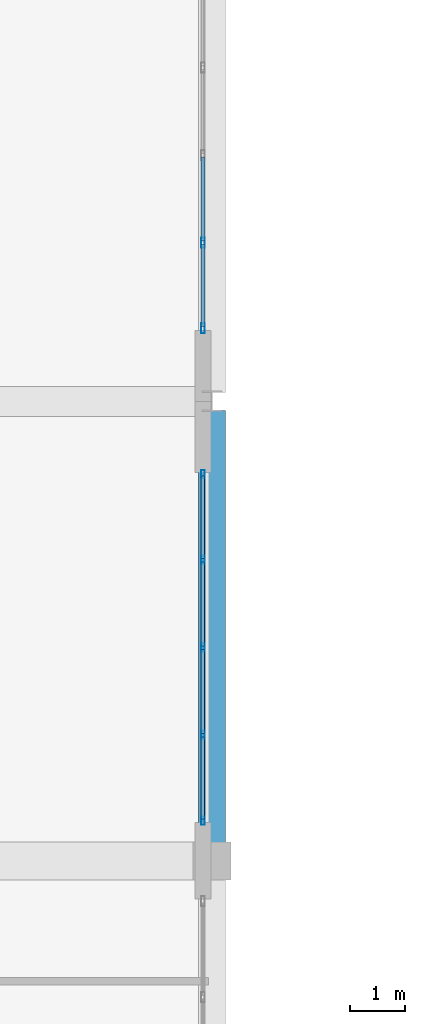
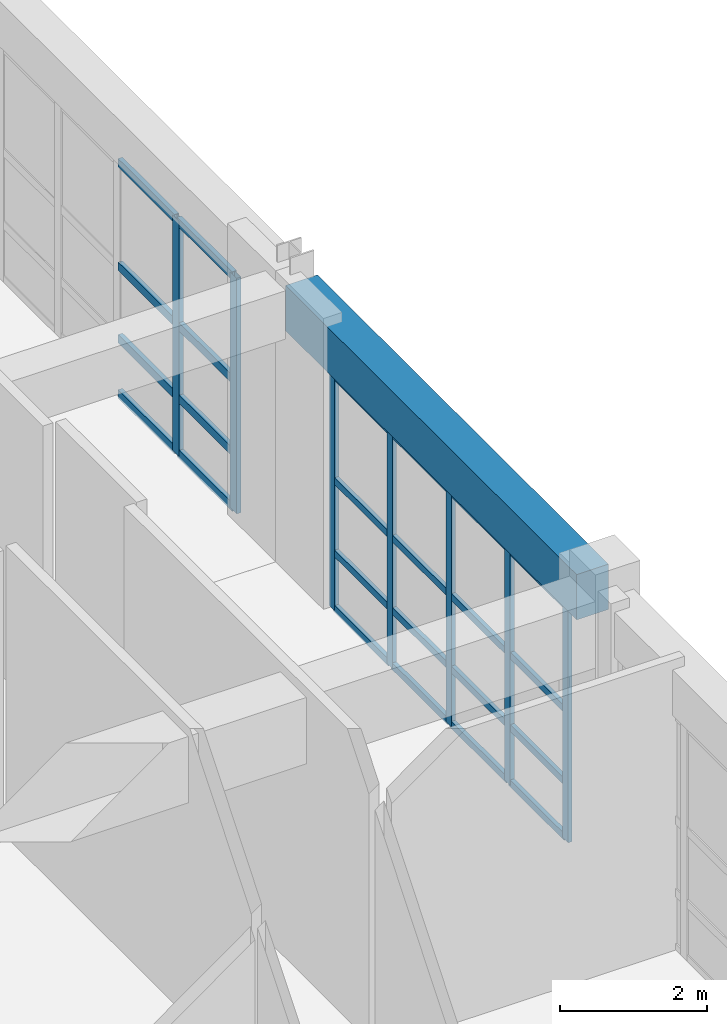
# One storey, part 20 of 78: 31 members, 1 beam, 2 elements without a shape of their own.
"""IFC4 building model written with IfcOpenShell, lengths in metres."""

from ifc_helpers import new_model, si_unit, direction, frame, origin, origin_2d, place, context, subcontext, project, spatial, rectangle, hollow_rectangle, extrude, material, layer, layer_set, material_profile, profile_set, type_object, element, aggregate, save


model = new_model("IFC4")

# Units and contexts
model_context = context("Model", 3, precision=1e-05, world=origin(), true_north=direction((0.0, 1.0)))
body_context = subcontext(model_context, "Body", "Model", "MODEL_VIEW")
ifc_project = project(units=[si_unit("LENGTHUNIT", "METRE"), si_unit("AREAUNIT", "SQUARE_METRE"), si_unit("VOLUMEUNIT", "CUBIC_METRE"), si_unit("PLANEANGLEUNIT", "RADIAN"), si_unit("MASSUNIT", "GRAM", prefix="KILO")], contexts=[model_context])

# Site, building, storey
site_placement = place(None, origin())
site = spatial("IfcSite", under=ifc_project, at=site_placement, CompositionType="ELEMENT")
building_placement = place(site_placement, origin())
building = spatial("IfcBuilding", under=site, at=building_placement, Name="Quendrovan Civic Courthouse", CompositionType="ELEMENT")
storey_placement = place(building_placement, frame((0.0, 0.0, 10.199951171875)))
storey = spatial("IfcBuildingStorey", under=building, at=storey_placement, Name="L03", CompositionType="ELEMENT", Elevation=10.199951171875)

# Beam
ifc_material_1 = material(Name="Concrete C40/50", Category="concrete")
ifc_material_profile_1 = material_profile(ifc_material_1, rectangle(XDim=0.5, YDim=0.75, at=origin_2d()), Name="RC-BM-500x750")
ifc_profile_set_1 = profile_set([ifc_material_profile_1], Name="Concrete C40/50")
beam_type = type_object("IfcBeamType", Name="BM-RC750", PredefinedType="SPANDREL", material=ifc_profile_set_1)
beam_placement = place(storey_placement, frame((16.800048828125, 48.330078125, 4.28515625), z_axis=(0.0, 1.0, 0.0), x_axis=(-1.0, 0.0, 0.0)))
element("IfcBeam", 1, at=beam_placement, inside=storey, type_object=beam_type, Name="L03 Girder Y0814", PredefinedType="SPANDREL", context=body_context, shape_type="SweptSolid", body=[
    extrude(rectangle(XDim=0.5, YDim=0.75, at=origin_2d()), origin(), (0.0, 0.0, 1.0), 7.90380859375),
])

# Curtain wall, members
ifc_material_2 = material(Name="Bronze anodised aluminium and low-E glass", Category="aluminium")
ifc_layer = layer(ifc_material_2, 0.179931640625, Name="Bronze anodised aluminium and low-E glass")
ifc_layer_set = layer_set([ifc_layer], Name="Bronze anodised aluminium and low-E glass")
curtain_wall_type = type_object("IfcCurtainWallType", Name="CW-U64x39", PredefinedType="USERDEFINED", material=ifc_layer_set)
curtain_wall_1_placement = place(storey_placement, origin())
curtain_wall_1 = element("IfcCurtainWall", 2, at=curtain_wall_1_placement, inside=storey, type_object=curtain_wall_type, Name="L03 Unitised Hurricane Curtain Wall CW-122", ObjectType="UNITISED CURTAIN WALL", PredefinedType="USERDEFINED")
ifc_material_3 = material(Name="Bronze anodised aluminium", Category="aluminium")
ifc_material_profile_2 = material_profile(ifc_material_3, hollow_rectangle(XDim=0.070068359375, YDim=0.179931640625, WallThickness=0.00390625, at=origin_2d()), Name="CW-MULL-70x180")
ifc_profile_set_2 = profile_set([ifc_material_profile_2], Name="Bronze anodised aluminium")
member_type_1 = type_object("IfcMemberType", Name="CW-MULL-A", PredefinedType="MULLION", material=ifc_profile_set_2)
member_1_placement = place(storey_placement, frame((16.635009765625, 59.300048828125, 0.0), z_axis=(0.0, 0.0, 1.0), x_axis=(1.0, 0.0, 0.0)))
member_1 = element("IfcMember", 3, at=member_1_placement, type_object=member_type_1, Name="CW-122 mullion 4", PredefinedType="MULLION", context=body_context, shape_type="SweptSolid", body=[
    extrude(hollow_rectangle(XDim=0.070068359375, YDim=0.179931640625, WallThickness=0.00390625, at=origin_2d()), origin(), (0.0, 0.0, 1.0), 3.900146484375),
])
member_2_placement = place(storey_placement, frame((16.635009765625, 57.735107421875, 0.0), z_axis=(0.0, 0.0, 1.0), x_axis=(1.0, 0.0, 0.0)))
member_2 = element("IfcMember", 4, at=member_2_placement, type_object=member_type_1, Name="CW-122 mullion 5", PredefinedType="MULLION", context=body_context, shape_type="SweptSolid", body=[
    extrude(hollow_rectangle(XDim=0.070068359375, YDim=0.179931640625, WallThickness=0.00390625, at=origin_2d()), origin(), (0.0, 0.0, 1.0), 3.900146484375),
])

curtain_wall_2_placement = place(storey_placement, origin())
curtain_wall_2 = element("IfcCurtainWall", 5, at=curtain_wall_2_placement, inside=storey, type_object=curtain_wall_type, Name="L03 Unitised Hurricane Curtain Wall CW-123", ObjectType="UNITISED CURTAIN WALL", PredefinedType="USERDEFINED")
ifc_material_profile_3 = material_profile(ifc_material_3, hollow_rectangle(XDim=0.06494140625, YDim=0.14990234375, WallThickness=0.00390625, at=origin_2d()), Name="CW-MULL-65x150")
ifc_profile_set_3 = profile_set([ifc_material_profile_3], Name="Bronze anodised aluminium")
member_type_2 = type_object("IfcMemberType", Name="CW-MULL-B", PredefinedType="MULLION", material=ifc_profile_set_3)
member_3_placement = place(storey_placement, frame((16.635009765625, 55.0673828125, 0.0), z_axis=(0.0, 0.0, 1.0), x_axis=(1.0, 0.0, 0.0)))
member_3 = element("IfcMember", 6, at=member_3_placement, type_object=member_type_2, Name="CW-123 mullion 1", PredefinedType="MULLION", context=body_context, shape_type="SweptSolid", body=[
    extrude(hollow_rectangle(XDim=0.06494140625, YDim=0.14990234375, WallThickness=0.00390625, at=origin_2d()), origin(), (0.0, 0.0, 1.0), 3.900146484375),
])
member_4_placement = place(storey_placement, frame((16.635009765625, 53.5, 0.0), z_axis=(0.0, 0.0, 1.0), x_axis=(1.0, 0.0, 0.0)))
member_4 = element("IfcMember", 7, at=member_4_placement, type_object=member_type_2, Name="CW-123 mullion 2", PredefinedType="MULLION", context=body_context, shape_type="SweptSolid", body=[
    extrude(hollow_rectangle(XDim=0.06494140625, YDim=0.14990234375, WallThickness=0.00390625, at=origin_2d()), origin(), (0.0, 0.0, 1.0), 3.900146484375),
])
member_5_placement = place(storey_placement, frame((16.635009765625, 51.89990234375, 0.0), z_axis=(0.0, 0.0, 1.0), x_axis=(1.0, 0.0, 0.0)))
member_5 = element("IfcMember", 8, at=member_5_placement, type_object=member_type_2, Name="CW-123 mullion 3", PredefinedType="MULLION", context=body_context, shape_type="SweptSolid", body=[
    extrude(hollow_rectangle(XDim=0.06494140625, YDim=0.14990234375, WallThickness=0.00390625, at=origin_2d()), origin(), (0.0, 0.0, 1.0), 3.900146484375),
])
member_6_placement = place(storey_placement, frame((16.635009765625, 50.300048828125, 0.0), z_axis=(0.0, 0.0, 1.0), x_axis=(1.0, 0.0, 0.0)))
member_6 = element("IfcMember", 9, at=member_6_placement, type_object=member_type_2, Name="CW-123 mullion 4", PredefinedType="MULLION", context=body_context, shape_type="SweptSolid", body=[
    extrude(hollow_rectangle(XDim=0.06494140625, YDim=0.14990234375, WallThickness=0.00390625, at=origin_2d()), origin(), (0.0, 0.0, 1.0), 3.900146484375),
])
member_7_placement = place(storey_placement, frame((16.635009765625, 48.732421875, 0.0), z_axis=(0.0, 0.0, 1.0), x_axis=(1.0, 0.0, 0.0)))
member_7 = element("IfcMember", 10, at=member_7_placement, type_object=member_type_2, Name="CW-123 mullion 5", PredefinedType="MULLION", context=body_context, shape_type="SweptSolid", body=[
    extrude(hollow_rectangle(XDim=0.06494140625, YDim=0.14990234375, WallThickness=0.00390625, at=origin_2d()), origin(), (0.0, 0.0, 1.0), 3.900146484375),
])

# Member
ifc_material_profile_4 = material_profile(ifc_material_3, hollow_rectangle(XDim=0.070068359375, YDim=0.139892578125, WallThickness=0.00390625, at=origin_2d()), Name="CW-TRAN-70x140")
ifc_profile_set_4 = profile_set([ifc_material_profile_4], Name="Bronze anodised aluminium")
member_type_3 = type_object("IfcMemberType", Name="CW-TRAN-A", PredefinedType="USERDEFINED", material=ifc_profile_set_4)
member_8_placement = place(storey_placement, frame((16.635009765625, 60.864990234375, 0.03515625), z_axis=(0.0, -1.0, 0.0), x_axis=(1.0, 0.0, 0.0)))
member_8 = element("IfcMember", 11, at=member_8_placement, type_object=member_type_3, Name="CW-122 transom 3.1", ObjectType="TRANSOM", PredefinedType="USERDEFINED", context=body_context, shape_type="SweptSolid", body=[
    extrude(hollow_rectangle(XDim=0.070068359375, YDim=0.139892578125, WallThickness=0.00390625, at=origin_2d()), origin(), (0.0, 0.0, 1.0), 1.530029296875),
])

member_9_placement = place(storey_placement, frame((16.635009765625, 60.864990234375, 0.949951171875), z_axis=(0.0, -1.0, 0.0), x_axis=(1.0, 0.0, 0.0)))
member_9 = element("IfcMember", 12, at=member_9_placement, type_object=member_type_3, Name="CW-122 transom 3.2", ObjectType="TRANSOM", PredefinedType="USERDEFINED", context=body_context, shape_type="SweptSolid", body=[
    extrude(hollow_rectangle(XDim=0.070068359375, YDim=0.139892578125, WallThickness=0.00390625, at=origin_2d()), origin(), (0.0, 0.0, 1.0), 1.530029296875),
])

member_10_placement = place(storey_placement, frame((16.635009765625, 60.864990234375, 2.150146484375), z_axis=(0.0, -1.0, 0.0), x_axis=(1.0, 0.0, 0.0)))
member_10 = element("IfcMember", 13, at=member_10_placement, type_object=member_type_3, Name="CW-122 transom 3.3", ObjectType="TRANSOM", PredefinedType="USERDEFINED", context=body_context, shape_type="SweptSolid", body=[
    extrude(hollow_rectangle(XDim=0.070068359375, YDim=0.139892578125, WallThickness=0.00390625, at=origin_2d()), origin(), (0.0, 0.0, 1.0), 1.530029296875),
])

member_11_placement = place(storey_placement, frame((16.635009765625, 60.864990234375, 3.864990234375), z_axis=(0.0, -1.0, 0.0), x_axis=(1.0, 0.0, 0.0)))
member_11 = element("IfcMember", 14, at=member_11_placement, type_object=member_type_3, Name="CW-122 transom 3.4", ObjectType="TRANSOM", PredefinedType="USERDEFINED", context=body_context, shape_type="SweptSolid", body=[
    extrude(hollow_rectangle(XDim=0.070068359375, YDim=0.139892578125, WallThickness=0.00390625, at=origin_2d()), origin(), (0.0, 0.0, 1.0), 1.530029296875),
])

member_12_placement = place(storey_placement, frame((16.635009765625, 59.264892578125, 0.03515625), z_axis=(0.0, -1.0, 0.0), x_axis=(1.0, 0.0, 0.0)))
member_12 = element("IfcMember", 15, at=member_12_placement, type_object=member_type_3, Name="CW-122 transom 4.1", ObjectType="TRANSOM", PredefinedType="USERDEFINED", context=body_context, shape_type="SweptSolid", body=[
    extrude(hollow_rectangle(XDim=0.070068359375, YDim=0.139892578125, WallThickness=0.00390625, at=origin_2d()), origin(), (0.0, 0.0, 1.0), 1.494873046875),
])

member_13_placement = place(storey_placement, frame((16.635009765625, 59.264892578125, 0.949951171875), z_axis=(0.0, -1.0, 0.0), x_axis=(1.0, 0.0, 0.0)))
member_13 = element("IfcMember", 16, at=member_13_placement, type_object=member_type_3, Name="CW-122 transom 4.2", ObjectType="TRANSOM", PredefinedType="USERDEFINED", context=body_context, shape_type="SweptSolid", body=[
    extrude(hollow_rectangle(XDim=0.070068359375, YDim=0.139892578125, WallThickness=0.00390625, at=origin_2d()), origin(), (0.0, 0.0, 1.0), 1.494873046875),
])

member_14_placement = place(storey_placement, frame((16.635009765625, 59.264892578125, 2.150146484375), z_axis=(0.0, -1.0, 0.0), x_axis=(1.0, 0.0, 0.0)))
member_14 = element("IfcMember", 17, at=member_14_placement, type_object=member_type_3, Name="CW-122 transom 4.3", ObjectType="TRANSOM", PredefinedType="USERDEFINED", context=body_context, shape_type="SweptSolid", body=[
    extrude(hollow_rectangle(XDim=0.070068359375, YDim=0.139892578125, WallThickness=0.00390625, at=origin_2d()), origin(), (0.0, 0.0, 1.0), 1.494873046875),
])

member_15_placement = place(storey_placement, frame((16.635009765625, 59.264892578125, 3.864990234375), z_axis=(0.0, -1.0, 0.0), x_axis=(1.0, 0.0, 0.0)))
member_15 = element("IfcMember", 18, at=member_15_placement, type_object=member_type_3, Name="CW-122 transom 4.4", ObjectType="TRANSOM", PredefinedType="USERDEFINED", context=body_context, shape_type="SweptSolid", body=[
    extrude(hollow_rectangle(XDim=0.070068359375, YDim=0.139892578125, WallThickness=0.00390625, at=origin_2d()), origin(), (0.0, 0.0, 1.0), 1.494873046875),
])

aggregate(curtain_wall_1, [member_1, member_2, member_8, member_9, member_10, member_11, member_12, member_13, member_14, member_15])

ifc_material_profile_5 = material_profile(ifc_material_3, hollow_rectangle(XDim=0.06494140625, YDim=0.114990234375, WallThickness=0.00390625, at=origin_2d()), Name="CW-TRAN-65x115")
ifc_profile_set_5 = profile_set([ifc_material_profile_5], Name="Bronze anodised aluminium")
member_type_4 = type_object("IfcMemberType", Name="CW-TRAN-B", PredefinedType="USERDEFINED", material=ifc_profile_set_5)
member_16_placement = place(storey_placement, frame((16.635009765625, 55.034912109375, 0.032470703125), z_axis=(0.0, -1.0, 0.0), x_axis=(1.0, 0.0, 0.0)))
member_16 = element("IfcMember", 19, at=member_16_placement, type_object=member_type_4, Name="CW-123 transom 1.1", ObjectType="TRANSOM", PredefinedType="USERDEFINED", context=body_context, shape_type="SweptSolid", body=[
    extrude(hollow_rectangle(XDim=0.06494140625, YDim=0.114990234375, WallThickness=0.00390625, at=origin_2d()), origin(), (0.0, 0.0, 1.0), 1.50244140625),
])

member_17_placement = place(storey_placement, frame((16.635009765625, 55.034912109375, 0.949951171875), z_axis=(0.0, -1.0, 0.0), x_axis=(1.0, 0.0, 0.0)))
member_17 = element("IfcMember", 20, at=member_17_placement, type_object=member_type_4, Name="CW-123 transom 1.2", ObjectType="TRANSOM", PredefinedType="USERDEFINED", context=body_context, shape_type="SweptSolid", body=[
    extrude(hollow_rectangle(XDim=0.06494140625, YDim=0.114990234375, WallThickness=0.00390625, at=origin_2d()), origin(), (0.0, 0.0, 1.0), 1.50244140625),
])

member_18_placement = place(storey_placement, frame((16.635009765625, 55.034912109375, 2.150146484375), z_axis=(0.0, -1.0, 0.0), x_axis=(1.0, 0.0, 0.0)))
member_18 = element("IfcMember", 21, at=member_18_placement, type_object=member_type_4, Name="CW-123 transom 1.3", ObjectType="TRANSOM", PredefinedType="USERDEFINED", context=body_context, shape_type="SweptSolid", body=[
    extrude(hollow_rectangle(XDim=0.06494140625, YDim=0.114990234375, WallThickness=0.00390625, at=origin_2d()), origin(), (0.0, 0.0, 1.0), 1.50244140625),
])

member_19_placement = place(storey_placement, frame((16.635009765625, 55.034912109375, 3.867431640625), z_axis=(0.0, -1.0, 0.0), x_axis=(1.0, 0.0, 0.0)))
member_19 = element("IfcMember", 22, at=member_19_placement, type_object=member_type_4, Name="CW-123 transom 1.4", ObjectType="TRANSOM", PredefinedType="USERDEFINED", context=body_context, shape_type="SweptSolid", body=[
    extrude(hollow_rectangle(XDim=0.06494140625, YDim=0.114990234375, WallThickness=0.00390625, at=origin_2d()), origin(), (0.0, 0.0, 1.0), 1.50244140625),
])

member_20_placement = place(storey_placement, frame((16.635009765625, 53.467529296875, 0.032470703125), z_axis=(0.0, -1.0, 0.0), x_axis=(1.0, 0.0, 0.0)))
member_20 = element("IfcMember", 23, at=member_20_placement, type_object=member_type_4, Name="CW-123 transom 2.1", ObjectType="TRANSOM", PredefinedType="USERDEFINED", context=body_context, shape_type="SweptSolid", body=[
    extrude(hollow_rectangle(XDim=0.06494140625, YDim=0.114990234375, WallThickness=0.00390625, at=origin_2d()), origin(), (0.0, 0.0, 1.0), 1.534912109375),
])

member_21_placement = place(storey_placement, frame((16.635009765625, 53.467529296875, 0.949951171875), z_axis=(0.0, -1.0, 0.0), x_axis=(1.0, 0.0, 0.0)))
member_21 = element("IfcMember", 24, at=member_21_placement, type_object=member_type_4, Name="CW-123 transom 2.2", ObjectType="TRANSOM", PredefinedType="USERDEFINED", context=body_context, shape_type="SweptSolid", body=[
    extrude(hollow_rectangle(XDim=0.06494140625, YDim=0.114990234375, WallThickness=0.00390625, at=origin_2d()), origin(), (0.0, 0.0, 1.0), 1.534912109375),
])

member_22_placement = place(storey_placement, frame((16.635009765625, 53.467529296875, 2.150146484375), z_axis=(0.0, -1.0, 0.0), x_axis=(1.0, 0.0, 0.0)))
member_22 = element("IfcMember", 25, at=member_22_placement, type_object=member_type_4, Name="CW-123 transom 2.3", ObjectType="TRANSOM", PredefinedType="USERDEFINED", context=body_context, shape_type="SweptSolid", body=[
    extrude(hollow_rectangle(XDim=0.06494140625, YDim=0.114990234375, WallThickness=0.00390625, at=origin_2d()), origin(), (0.0, 0.0, 1.0), 1.534912109375),
])

member_23_placement = place(storey_placement, frame((16.635009765625, 53.467529296875, 3.867431640625), z_axis=(0.0, -1.0, 0.0), x_axis=(1.0, 0.0, 0.0)))
member_23 = element("IfcMember", 26, at=member_23_placement, type_object=member_type_4, Name="CW-123 transom 2.4", ObjectType="TRANSOM", PredefinedType="USERDEFINED", context=body_context, shape_type="SweptSolid", body=[
    extrude(hollow_rectangle(XDim=0.06494140625, YDim=0.114990234375, WallThickness=0.00390625, at=origin_2d()), origin(), (0.0, 0.0, 1.0), 1.534912109375),
])

member_24_placement = place(storey_placement, frame((16.635009765625, 51.867431640625, 0.032470703125), z_axis=(0.0, -1.0, 0.0), x_axis=(1.0, 0.0, 0.0)))
member_24 = element("IfcMember", 27, at=member_24_placement, type_object=member_type_4, Name="CW-123 transom 3.1", ObjectType="TRANSOM", PredefinedType="USERDEFINED", context=body_context, shape_type="SweptSolid", body=[
    extrude(hollow_rectangle(XDim=0.06494140625, YDim=0.114990234375, WallThickness=0.00390625, at=origin_2d()), origin(), (0.0, 0.0, 1.0), 1.534912109375),
])

member_25_placement = place(storey_placement, frame((16.635009765625, 51.867431640625, 0.949951171875), z_axis=(0.0, -1.0, 0.0), x_axis=(1.0, 0.0, 0.0)))
member_25 = element("IfcMember", 28, at=member_25_placement, type_object=member_type_4, Name="CW-123 transom 3.2", ObjectType="TRANSOM", PredefinedType="USERDEFINED", context=body_context, shape_type="SweptSolid", body=[
    extrude(hollow_rectangle(XDim=0.06494140625, YDim=0.114990234375, WallThickness=0.00390625, at=origin_2d()), origin(), (0.0, 0.0, 1.0), 1.534912109375),
])

member_26_placement = place(storey_placement, frame((16.635009765625, 51.867431640625, 2.150146484375), z_axis=(0.0, -1.0, 0.0), x_axis=(1.0, 0.0, 0.0)))
member_26 = element("IfcMember", 29, at=member_26_placement, type_object=member_type_4, Name="CW-123 transom 3.3", ObjectType="TRANSOM", PredefinedType="USERDEFINED", context=body_context, shape_type="SweptSolid", body=[
    extrude(hollow_rectangle(XDim=0.06494140625, YDim=0.114990234375, WallThickness=0.00390625, at=origin_2d()), origin(), (0.0, 0.0, 1.0), 1.534912109375),
])

member_27_placement = place(storey_placement, frame((16.635009765625, 51.867431640625, 3.867431640625), z_axis=(0.0, -1.0, 0.0), x_axis=(1.0, 0.0, 0.0)))
member_27 = element("IfcMember", 30, at=member_27_placement, type_object=member_type_4, Name="CW-123 transom 3.4", ObjectType="TRANSOM", PredefinedType="USERDEFINED", context=body_context, shape_type="SweptSolid", body=[
    extrude(hollow_rectangle(XDim=0.06494140625, YDim=0.114990234375, WallThickness=0.00390625, at=origin_2d()), origin(), (0.0, 0.0, 1.0), 1.534912109375),
])

member_28_placement = place(storey_placement, frame((16.635009765625, 50.267578125, 0.032470703125), z_axis=(0.0, -1.0, 0.0), x_axis=(1.0, 0.0, 0.0)))
member_28 = element("IfcMember", 31, at=member_28_placement, type_object=member_type_4, Name="CW-123 transom 4.1", ObjectType="TRANSOM", PredefinedType="USERDEFINED", context=body_context, shape_type="SweptSolid", body=[
    extrude(hollow_rectangle(XDim=0.06494140625, YDim=0.114990234375, WallThickness=0.00390625, at=origin_2d()), origin(), (0.0, 0.0, 1.0), 1.502685546875),
])

member_29_placement = place(storey_placement, frame((16.635009765625, 50.267578125, 0.949951171875), z_axis=(0.0, -1.0, 0.0), x_axis=(1.0, 0.0, 0.0)))
member_29 = element("IfcMember", 32, at=member_29_placement, type_object=member_type_4, Name="CW-123 transom 4.2", ObjectType="TRANSOM", PredefinedType="USERDEFINED", context=body_context, shape_type="SweptSolid", body=[
    extrude(hollow_rectangle(XDim=0.06494140625, YDim=0.114990234375, WallThickness=0.00390625, at=origin_2d()), origin(), (0.0, 0.0, 1.0), 1.502685546875),
])

member_30_placement = place(storey_placement, frame((16.635009765625, 50.267578125, 2.150146484375), z_axis=(0.0, -1.0, 0.0), x_axis=(1.0, 0.0, 0.0)))
member_30 = element("IfcMember", 33, at=member_30_placement, type_object=member_type_4, Name="CW-123 transom 4.3", ObjectType="TRANSOM", PredefinedType="USERDEFINED", context=body_context, shape_type="SweptSolid", body=[
    extrude(hollow_rectangle(XDim=0.06494140625, YDim=0.114990234375, WallThickness=0.00390625, at=origin_2d()), origin(), (0.0, 0.0, 1.0), 1.502685546875),
])

member_31_placement = place(storey_placement, frame((16.635009765625, 50.267578125, 3.867431640625), z_axis=(0.0, -1.0, 0.0), x_axis=(1.0, 0.0, 0.0)))
member_31 = element("IfcMember", 34, at=member_31_placement, type_object=member_type_4, Name="CW-123 transom 4.4", ObjectType="TRANSOM", PredefinedType="USERDEFINED", context=body_context, shape_type="SweptSolid", body=[
    extrude(hollow_rectangle(XDim=0.06494140625, YDim=0.114990234375, WallThickness=0.00390625, at=origin_2d()), origin(), (0.0, 0.0, 1.0), 1.502685546875),
])

aggregate(curtain_wall_2, [member_3, member_4, member_5, member_6, member_7, member_16, member_17, member_18, member_19, member_20, member_21, member_22, member_23, member_24, member_25, member_26, member_27, member_28, member_29, member_30, member_31])

save(model, "model.ifc")
